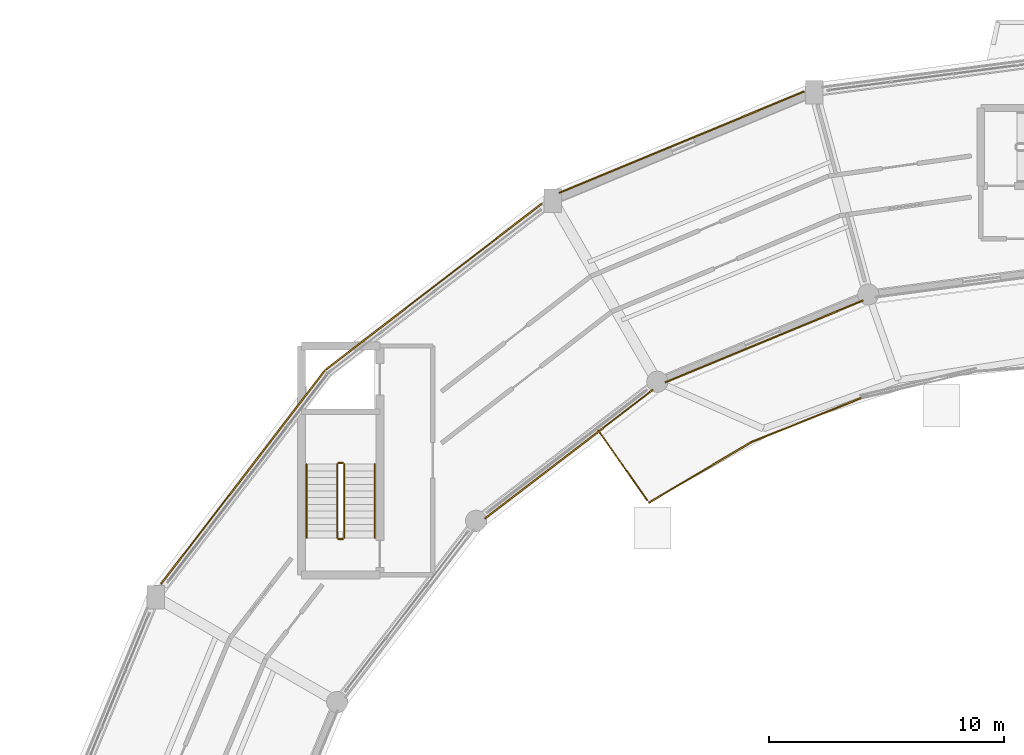
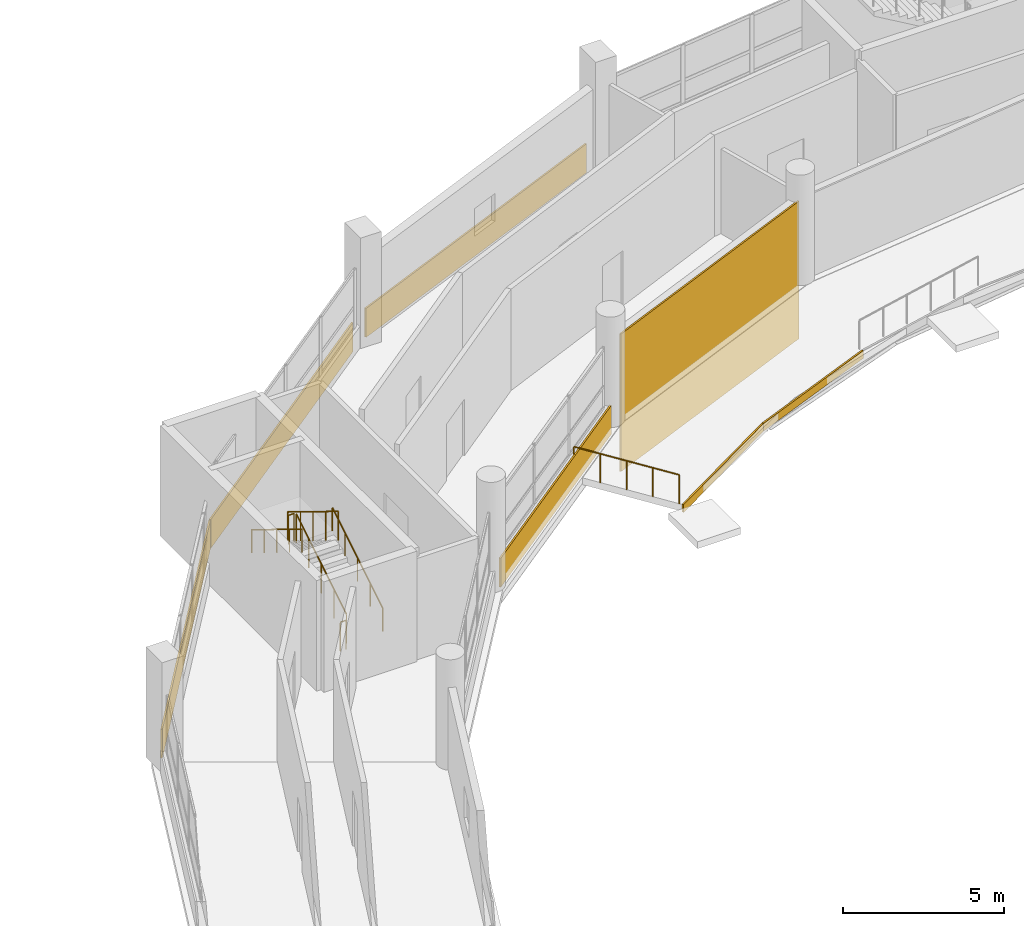
# One storey, part 124 of 128: 7 coverings, 7 railings.
"""IFC4 building model written with IfcOpenShell, lengths in metres."""

from ifc_helpers import new_model, si_unit, direction, frame, frame_2d, origin, origin_2d, place, context, subcontext, project, spatial, rectangle, circle, extrude, material, layer, layer_set, type_object, element, save


model = new_model("IFC4")

# Units and contexts
model_context = context("Model", 3, precision=1e-05, world=origin(), true_north=direction((0.0, 1.0)))
body_context = subcontext(model_context, "Body", "Model", "MODEL_VIEW")
ifc_project = project(units=[si_unit("LENGTHUNIT", "METRE"), si_unit("AREAUNIT", "SQUARE_METRE"), si_unit("VOLUMEUNIT", "CUBIC_METRE"), si_unit("PLANEANGLEUNIT", "RADIAN"), si_unit("MASSUNIT", "GRAM", prefix="KILO")], contexts=[model_context])

# Site, building, storey
site_placement = place(None, origin())
site = spatial("IfcSite", under=ifc_project, at=site_placement, CompositionType="ELEMENT")
building_placement = place(site_placement, origin())
building = spatial("IfcBuilding", under=site, at=building_placement, Name="Vespera Passage Community Centre", CompositionType="ELEMENT")
storey_placement = place(building_placement, frame((0.0, 0.0, 4.5)))
storey = spatial("IfcBuildingStorey", under=building, at=storey_placement, Name="L01", CompositionType="ELEMENT", Elevation=4.5)

# Coverings
ifc_material_1 = material(Name="Precast concrete f'c 40 MPa", Category="concrete")
ifc_layer = layer(ifc_material_1, 0.06005859375)
ifc_layer_set = layer_set([ifc_layer], Name="Precast concrete f'c 40 MPa")
covering_type = type_object("IfcCoveringType", Name="COV-CLAD-60E", PredefinedType="CLADDING", material=ifc_layer_set)
covering_1_placement = place(storey_placement, frame((55.229248046875, 105.7451171875, -0.280029296875), z_axis=(0.0, 0.0, 1.0), x_axis=(0.923883530636, 0.382673779896, 0.0)))
element("IfcCovering", 1, at=covering_1_placement, inside=storey, type_object=covering_type, Name="V4 L01 Outer White Sill Band O7", PredefinedType="CLADDING", context=body_context, shape_type="SweptSolid", body=[
    extrude(rectangle(XDim=11.2724609375, YDim=0.06005859375, at=frame_2d((5.63623046875, 0.0))), origin(), (0.0, 0.0, 1.0), 1.10009765625),
])
covering_2_placement = place(storey_placement, frame((68.154296875, 101.174560546875, -2.080078125), z_axis=(0.0, 0.0, 1.0), x_axis=(-0.92387477551, -0.38269491658, 0.0)))
element("IfcCovering", 2, at=covering_2_placement, inside=storey, type_object=covering_type, Name="V4 L01 Court Terrace White Band I7", PredefinedType="CLADDING", context=body_context, shape_type="SweptSolid", body=[
    extrude(rectangle(XDim=9.11181640625, YDim=0.06005859375, at=frame_2d((4.555908203125, 0.0))), origin(), (0.0, 0.0, 1.0), 5.2294921875),
])
covering_3_placement = place(storey_placement, frame((45.298828125, 98.232421875, -0.280029296875), z_axis=(0.0, 0.0, 1.0), x_axis=(0.793347191248, 0.608769442514, 0.0)))
element("IfcCovering", 3, at=covering_3_placement, inside=storey, type_object=covering_type, Name="V4 L01 Outer White Spandrel Band O8", PredefinedType="CLADDING", context=body_context, shape_type="SweptSolid", body=[
    extrude(rectangle(XDim=11.5869140625, YDim=0.06005859375, at=frame_2d((5.79345703125, 0.0))), origin(), (0.0, 0.0, 1.0), 1.10009765625),
])
covering_4_placement = place(storey_placement, frame((59.214111328125, 97.378173828125, -0.280029296875), z_axis=(0.0, 0.0, 1.0), x_axis=(-0.793350132061, -0.608765610033, 0.0)))
element("IfcCovering", 4, at=covering_4_placement, inside=storey, type_object=covering_type, Name="V4 L01 Inner Court White Spandrel Band I8", PredefinedType="CLADDING", context=body_context, shape_type="SweptSolid", body=[
    extrude(rectangle(XDim=9.004638671875, YDim=0.06005859375, at=frame_2d((4.50244140625, 0.0))), origin(), (0.0, 0.0, 1.0), 1.10009765625),
])
covering_5_placement = place(storey_placement, frame((38.301025390625, 89.122314453125, -0.280029296875), z_axis=(0.0, 0.0, 1.0), x_axis=(0.608766951842, 0.793349102441, 0.0)))
element("IfcCovering", 5, at=covering_5_placement, inside=storey, type_object=covering_type, Name="V4 L01 Outer White Spandrel Band O9", PredefinedType="CLADDING", context=body_context, shape_type="SweptSolid", body=[
    extrude(rectangle(XDim=11.443603515625, YDim=0.06005859375, at=frame_2d((5.7216796875, 0.0))), origin(), (0.0, 0.0, 1.0), 1.10009765625),
])
for number, where, z_axis, x_axis, name in (
    (6, (68.071044921875, 97.023681640625, -0.280029296875), (0.0, 0.0, 1.0), (-0.928006972984, -0.372562824358, 0.0), "Courtyard Gallery Terrace White Fascia 3"),
    (7, (63.39111328125, 95.146240234375, -0.280029296875), (0.0, 0.0, 1.0), (-0.860537422259, -0.5093872249, 0.0), "Courtyard Gallery Terrace White Fascia 4"),
):
    element("IfcCovering", number, at=place(storey_placement, frame(where, z_axis=z_axis, x_axis=x_axis)), inside=storey, type_object=covering_type, Name=name, PredefinedType="CLADDING", context=body_context, shape_type="SweptSolid", body=[
        extrude(rectangle(XDim=5.062255859375, YDim=0.06005859375, at=frame_2d((2.53125, 0.0))), origin(), (0.0, 0.0, 1.0), 0.300048828125),
    ])

# Railings
ifc_material_2 = material(Name="Steel ASTM A500 Grade C", Category="steel")
railing_type_1 = type_object("IfcRailingType", Name="RL-EXT-1100E", PredefinedType="GUARDRAIL", material=ifc_material_2)
railing_1_placement = place(storey_placement, frame((58.96875, 92.679443359375, 0.0)))
element("IfcRailing", 8, at=railing_1_placement, inside=storey, type_object=railing_type_1, Name="Courtyard Gallery Terrace West End Guard", PredefinedType="GUARDRAIL", context=body_context, shape_type="SweptSolid", body=[
    extrude(circle(Radius=0.02392578125, at=origin_2d()), frame((0.0, 0.0, 1.09619140625), z_axis=(-0.57358907301, 0.81914319586, 0.0), x_axis=(-0.81914319586, -0.57358907301, 0.0)), (0.0, 0.0, 1.0), 3.6201171875),
    extrude(circle(Radius=0.02099609375, at=origin_2d()), origin(), (0.0, 0.0, 1.0), 1.072021484375),
    extrude(circle(Radius=0.02099609375, at=origin_2d()), frame((-0.51904296875, 0.7412109375, 0.0)), (0.0, 0.0, 1.0), 1.072021484375),
    extrude(circle(Radius=0.02099609375, at=origin_2d()), frame((-1.0380859375, 1.482666015625, 0.0)), (0.0, 0.0, 1.0), 1.072021484375),
    extrude(circle(Radius=0.02099609375, at=origin_2d()), frame((-1.557373046875, 2.22412109375, 0.0)), (0.0, 0.0, 1.0), 1.072021484375),
    extrude(circle(Radius=0.02099609375, at=origin_2d()), frame((-2.076416015625, 2.96533203125, 0.0)), (0.0, 0.0, 1.0), 1.072021484375),
])
ifc_material_3 = material(Name="Steel ASTM A500 Grade C", Category="steel")
railing_type_2 = type_object("IfcRailingType", Name="RL-HAND-900I", PredefinedType="HANDRAIL", material=ifc_material_3)
railing_2_placement = place(storey_placement, frame((47.383056640625, 91.077880859375, 0.175048828125)))
element("IfcRailing", 9, at=railing_2_placement, inside=storey, type_object=railing_type_2, Name="L01 ST03 stair handrail 1", PredefinedType="HANDRAIL", context=body_context, shape_type="SweptSolid", body=[
    extrude(circle(Radius=0.02392578125, at=origin_2d()), frame((0.0, 0.0, 0.8759765625), z_axis=(0.0, 0.852166034122, 0.523271488128), x_axis=(-1.0, 0.0, 0.0)), (0.0, 0.0, 1.0), 3.678955078125),
    extrude(circle(Radius=0.02099609375, at=origin_2d()), origin(), (0.0, 0.0, 1.0), 0.851806640625),
    extrude(circle(Radius=0.02099609375, at=origin_2d()), frame((0.0, 0.78369140625, 0.481201171875)), (0.0, 0.0, 1.0), 0.851806640625),
    extrude(circle(Radius=0.02099609375, at=origin_2d()), frame((0.0, 1.5673828125, 0.96240234375)), (0.0, 0.0, 1.0), 0.851806640625),
    extrude(circle(Radius=0.02099609375, at=origin_2d()), frame((0.0, 2.351318359375, 1.44384765625)), (0.0, 0.0, 1.0), 0.851806640625),
    extrude(circle(Radius=0.02099609375, at=origin_2d()), frame((0.0, 3.135009765625, 1.925048828125)), (0.0, 0.0, 1.0), 0.851806640625),
])
railing_3_placement = place(storey_placement, frame((44.48291015625, 94.212890625, 2.27490234375)))
element("IfcRailing", 10, at=railing_3_placement, inside=storey, type_object=railing_type_2, Name="L01 ST03 stair handrail 2", PredefinedType="HANDRAIL", context=body_context, shape_type="SweptSolid", body=[
    extrude(circle(Radius=0.02392578125, at=origin_2d()), frame((0.0, 0.0, 0.8759765625), z_axis=(0.0, -0.852166034122, 0.523271488128), x_axis=(1.0, 0.0, 0.0)), (0.0, 0.0, 1.0), 3.678955078125),
    extrude(circle(Radius=0.02099609375, at=origin_2d()), origin(), (0.0, 0.0, 1.0), 0.851806640625),
    extrude(circle(Radius=0.02099609375, at=origin_2d()), frame((0.0, -0.78369140625, 0.481201171875)), (0.0, 0.0, 1.0), 0.851806640625),
    extrude(circle(Radius=0.02099609375, at=origin_2d()), frame((0.0, -1.5673828125, 0.96240234375)), (0.0, 0.0, 1.0), 0.851806640625),
    extrude(circle(Radius=0.02099609375, at=origin_2d()), frame((0.0, -2.351318359375, 1.44384765625)), (0.0, 0.0, 1.0), 0.851806640625),
    extrude(circle(Radius=0.02099609375, at=origin_2d()), frame((0.0, -3.135009765625, 1.925048828125)), (0.0, 0.0, 1.0), 0.851806640625),
])
ifc_material_4 = material(Name="Steel ASTM A500 Grade C", Category="steel")
railing_type_3 = type_object("IfcRailingType", Name="RL-STAIR-1100I", PredefinedType="GUARDRAIL", material=ifc_material_4)
railing_4_placement = place(storey_placement, frame((46.0830078125, 91.077880859375, 0.175048828125)))
element("IfcRailing", 11, at=railing_4_placement, inside=storey, type_object=railing_type_3, Name="L01 ST03 stair guard 1", PredefinedType="GUARDRAIL", context=body_context, shape_type="SweptSolid", body=[
    extrude(circle(Radius=0.02392578125, at=origin_2d()), frame((0.0, 0.0, 1.09619140625), z_axis=(0.0, 0.852166034122, 0.523271488128), x_axis=(-1.0, 0.0, 0.0)), (0.0, 0.0, 1.0), 3.678955078125),
    extrude(circle(Radius=0.02099609375, at=origin_2d()), origin(), (0.0, 0.0, 1.0), 1.072021484375),
    extrude(circle(Radius=0.02099609375, at=origin_2d()), frame((0.0, 0.78369140625, 0.481201171875)), (0.0, 0.0, 1.0), 1.072021484375),
    extrude(circle(Radius=0.02099609375, at=origin_2d()), frame((0.0, 1.5673828125, 0.96240234375)), (0.0, 0.0, 1.0), 1.072021484375),
    extrude(circle(Radius=0.02099609375, at=origin_2d()), frame((0.0, 2.351318359375, 1.44384765625)), (0.0, 0.0, 1.0), 1.072021484375),
    extrude(circle(Radius=0.02099609375, at=origin_2d()), frame((0.0, 3.135009765625, 1.925048828125)), (0.0, 0.0, 1.0), 1.072021484375),
])
railing_5_placement = place(storey_placement, frame((46.032958984375, 94.262939453125, 2.10009765625)))
element("IfcRailing", 12, at=railing_5_placement, inside=storey, type_object=railing_type_3, Name="L01 ST03 stair guard 2", PredefinedType="GUARDRAIL", context=body_context, shape_type="SweptSolid", body=[
    extrude(circle(Radius=0.02392578125, at=origin_2d()), frame((0.0, 0.0, 1.09619140625), z_axis=(-1.0, 0.0, 0.0), x_axis=(0.0, -1.0, 0.0)), (0.0, 0.0, 1.0), 0.199951171875),
    extrude(circle(Radius=0.02099609375, at=origin_2d()), origin(), (0.0, 0.0, 1.0), 1.072021484375),
    extrude(circle(Radius=0.02099609375, at=origin_2d()), frame((-0.199951171875, 0.0, 0.0)), (0.0, 0.0, 1.0), 1.072021484375),
])
railing_6_placement = place(storey_placement, frame((45.782958984375, 94.212890625, 2.27490234375)))
element("IfcRailing", 13, at=railing_6_placement, inside=storey, type_object=railing_type_3, Name="L01 ST03 stair guard 3", PredefinedType="GUARDRAIL", context=body_context, shape_type="SweptSolid", body=[
    extrude(circle(Radius=0.02392578125, at=origin_2d()), frame((0.0, 0.0, 1.09619140625), z_axis=(0.0, -0.852166034122, 0.523271488128), x_axis=(1.0, 0.0, 0.0)), (0.0, 0.0, 1.0), 3.678955078125),
    extrude(circle(Radius=0.02099609375, at=origin_2d()), origin(), (0.0, 0.0, 1.0), 1.072021484375),
    extrude(circle(Radius=0.02099609375, at=origin_2d()), frame((0.0, -0.78369140625, 0.481201171875)), (0.0, 0.0, 1.0), 1.072021484375),
    extrude(circle(Radius=0.02099609375, at=origin_2d()), frame((0.0, -1.5673828125, 0.96240234375)), (0.0, 0.0, 1.0), 1.072021484375),
    extrude(circle(Radius=0.02099609375, at=origin_2d()), frame((0.0, -2.351318359375, 1.44384765625)), (0.0, 0.0, 1.0), 1.072021484375),
    extrude(circle(Radius=0.02099609375, at=origin_2d()), frame((0.0, -3.135009765625, 1.925048828125)), (0.0, 0.0, 1.0), 1.072021484375),
])
railing_7_placement = place(storey_placement, frame((46.032958984375, 91.028076171875, 0.0)))
element("IfcRailing", 14, at=railing_7_placement, inside=storey, type_object=railing_type_3, Name="L01 ST03 stair guard 4", PredefinedType="GUARDRAIL", context=body_context, shape_type="SweptSolid", body=[
    extrude(circle(Radius=0.02392578125, at=origin_2d()), frame((0.0, 0.0, 1.09619140625), z_axis=(-1.0, 0.0, 0.0), x_axis=(0.0, -1.0, 0.0)), (0.0, 0.0, 1.0), 0.199951171875),
    extrude(circle(Radius=0.02099609375, at=origin_2d()), origin(), (0.0, 0.0, 1.0), 1.072021484375),
    extrude(circle(Radius=0.02099609375, at=origin_2d()), frame((-0.199951171875, 0.0, 0.0)), (0.0, 0.0, 1.0), 1.072021484375),
])

save(model, "model.ifc")
